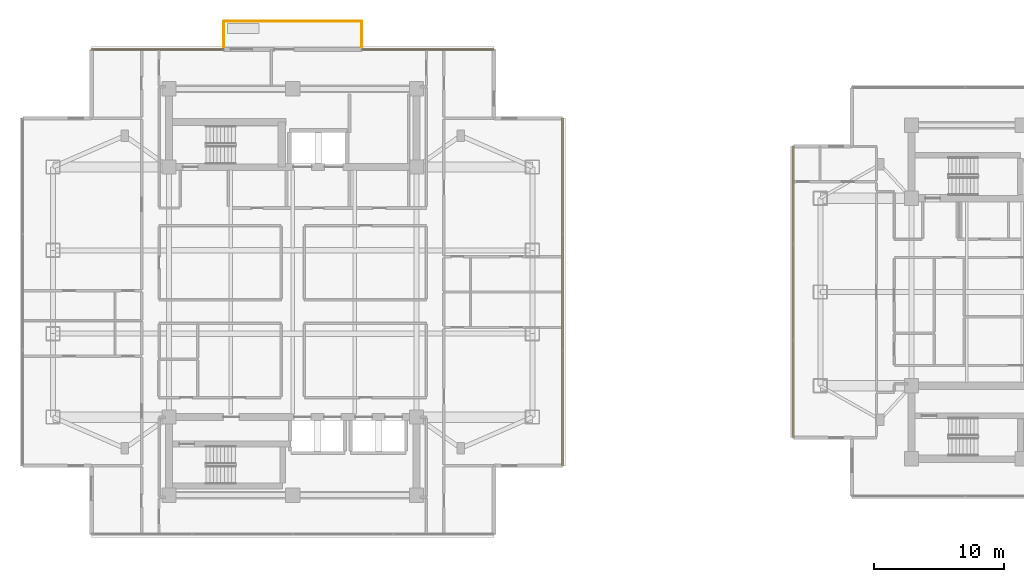
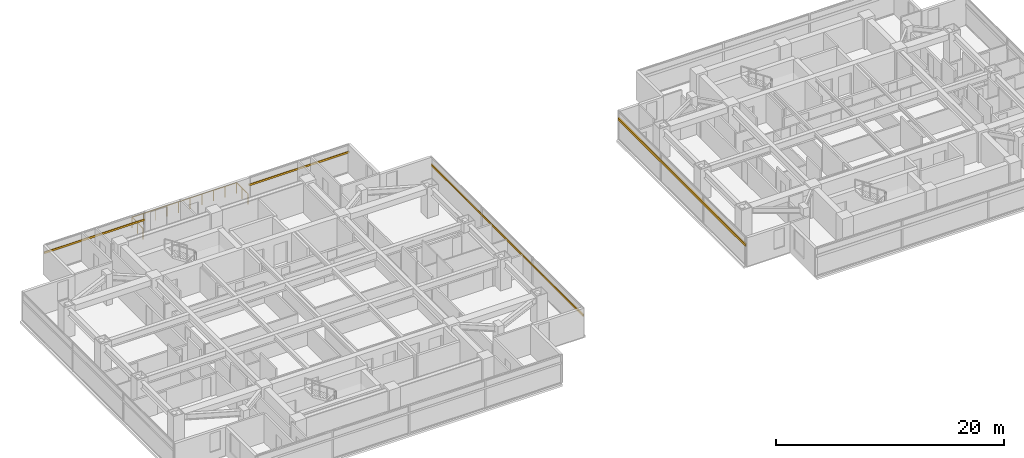
# One storey, part 23 of 26: 4 shading devices, 3 railings.
"""IFC4 building model written with IfcOpenShell, lengths in metres."""

from ifc_helpers import new_model, si_unit, direction, frame, origin, origin_2d, place, context, subcontext, project, spatial, rectangle, circle, extrude, material, material_profile, profile_set, type_object, element, save


model = new_model("IFC4")

# Units and contexts
model_context = context("Model", 3, precision=1e-05, world=origin(), true_north=direction((0.0, 1.0)))
body_context = subcontext(model_context, "Body", "Model", "MODEL_VIEW")
ifc_project = project(units=[si_unit("LENGTHUNIT", "METRE"), si_unit("AREAUNIT", "SQUARE_METRE"), si_unit("VOLUMEUNIT", "CUBIC_METRE"), si_unit("PLANEANGLEUNIT", "RADIAN"), si_unit("MASSUNIT", "GRAM", prefix="KILO")], contexts=[model_context])

# Site, building, storey
site_placement = place(None, origin())
site = spatial("IfcSite", under=ifc_project, at=site_placement, CompositionType="ELEMENT")
building_placement = place(site_placement, origin())
building = spatial("IfcBuilding", under=site, at=building_placement, Name="Mirazonda Arch Towers", CompositionType="ELEMENT")
storey_placement = place(building_placement, frame((0.0, 0.0, 128.0)))
storey = spatial("IfcBuildingStorey", under=building, at=storey_placement, Name="L36", CompositionType="ELEMENT", Elevation=128.0)

# Shading devices
ifc_material_1 = material(Name="Kiln-Fired Architectural Terracotta", Category="masonry")
ifc_material_profile_1 = material_profile(ifc_material_1, rectangle(XDim=0.10009765625, YDim=0.199951171875, at=origin_2d()), Name="TERRA-BAG-100x200")
ifc_profile_set_1 = profile_set([ifc_material_profile_1], Name="Kiln-Fired Architectural Terracotta")
shading_device_type_1 = type_object("IfcShadingDeviceType", Name="BAGUETTE-2", PredefinedType="USERDEFINED", material=ifc_profile_set_1)
shading_device_1_placement = place(storey_placement, frame((41.219970703125, 14.656005859375, 2.203125), z_axis=(0.0, 1.0, 0.0), x_axis=(-1.0, 0.0, 0.0)))
element("IfcShadingDevice", 1, at=shading_device_1_placement, inside=storey, type_object=shading_device_type_1, Name="L36 Glazed Terracotta Sun-Screen Baguette CW-L36-T1-E", ObjectType="BAGUETTE", PredefinedType="USERDEFINED", context=body_context, shape_type="SweptSolid", body=[
    extrude(rectangle(XDim=0.10009765625, YDim=0.199951171875, at=origin_2d()), origin(), (0.0, 0.0, 1.0), 26.68798828125),
])
for number, where, z_axis, x_axis, name in (
    (2, (5.050048828125, 46.614013671875, 2.203125), (1.0, 0.0, 0.0), (0.0, 1.0, 0.0), "L36 Glazed Terracotta Sun-Screen Baguette CW-L36-T1-NA"),
    (3, (25.7900390625, 46.614013671875, 2.203125), (1.0, 0.0, 0.0), (0.0, 1.0, 0.0), "L36 Glazed Terracotta Sun-Screen Baguette CW-L36-T1-NB"),
):
    element("IfcShadingDevice", number, at=place(storey_placement, frame(where, z_axis=z_axis, x_axis=x_axis)), inside=storey, type_object=shading_device_type_1, Name=name, ObjectType="BAGUETTE", PredefinedType="USERDEFINED", context=body_context, shape_type="SweptSolid", body=[
        extrude(rectangle(XDim=0.10009765625, YDim=0.199951171875, at=origin_2d()), origin(), (0.0, 0.0, 1.0), 10.159912109375),
    ])
ifc_material_profile_2 = material_profile(ifc_material_1, rectangle(XDim=0.139892578125, YDim=0.280029296875, at=origin_2d()), Name="TERRA-BAG-140x280")
ifc_profile_set_2 = profile_set([ifc_material_profile_2], Name="Kiln-Fired Architectural Terracotta")
shading_device_type_2 = type_object("IfcShadingDeviceType", Name="BAGUETTE-3", PredefinedType="USERDEFINED", material=ifc_profile_set_2)
shading_device_2_placement = place(storey_placement, frame((58.94091796875, 39.182373046875, 2.203125), z_axis=(0.0, -1.0, 0.0), x_axis=(1.0, 0.0, 0.0)))
element("IfcShadingDevice", 4, at=shading_device_2_placement, inside=storey, type_object=shading_device_type_2, Name="L36 Glazed Terracotta Sun-Screen Baguette CW-L36-T2-W", ObjectType="BAGUETTE", PredefinedType="USERDEFINED", context=body_context, shape_type="SweptSolid", body=[
    extrude(rectangle(XDim=0.139892578125, YDim=0.280029296875, at=origin_2d()), origin(), (0.0, 0.0, 1.0), 22.36474609375),
])

# Railings
ifc_material_2 = material(Name="Architectural Brushed Steel S355", Category="steel")
railing_type = type_object("IfcRailingType", Name="GUARD-EXT-1150", PredefinedType="GUARDRAIL", material=ifc_material_2)
railing_1_placement = place(storey_placement, frame((15.199951171875, 46.823974609375, 0.0)))
element("IfcRailing", 5, at=railing_1_placement, inside=storey, type_object=railing_type, Name="L36 T1 Sky-Terrace Guard 01", PredefinedType="GUARDRAIL", context=body_context, shape_type="SweptSolid", body=[
    extrude(circle(Radius=0.02392578125, at=origin_2d()), frame((0.0, 0.0, 1.1259765625), z_axis=(0.0, 1.0, 0.0), x_axis=(-1.0, 0.0, 0.0)), (0.0, 0.0, 1.0), 1.9599609375),
    extrude(circle(Radius=0.02099609375, at=origin_2d()), origin(), (0.0, 0.0, 1.0), 1.101806640625),
    extrude(circle(Radius=0.02099609375, at=origin_2d()), frame((0.0, 0.97998046875, 0.0)), (0.0, 0.0, 1.0), 1.101806640625),
    extrude(circle(Radius=0.02099609375, at=origin_2d()), frame((0.0, 1.9599609375, 0.0)), (0.0, 0.0, 1.0), 1.101806640625),
])
railing_2_placement = place(storey_placement, frame((15.199951171875, 48.783935546875, 0.0)))
element("IfcRailing", 6, at=railing_2_placement, inside=storey, type_object=railing_type, Name="L36 T1 Sky-Terrace Guard 02", PredefinedType="GUARDRAIL", context=body_context, shape_type="SweptSolid", body=[
    extrude(circle(Radius=0.02392578125, at=origin_2d()), frame((0.0, 0.0, 1.1259765625), z_axis=(1.0, 0.0, 0.0), x_axis=(0.0, 1.0, 0.0)), (0.0, 0.0, 1.0), 10.60009765625),
    extrude(circle(Radius=0.02099609375, at=origin_2d()), origin(), (0.0, 0.0, 1.0), 1.101806640625),
    extrude(circle(Radius=0.02099609375, at=origin_2d()), frame((1.177734375, 0.0, 0.0)), (0.0, 0.0, 1.0), 1.101806640625),
    extrude(circle(Radius=0.02099609375, at=origin_2d()), frame((2.35546875, 0.0, 0.0)), (0.0, 0.0, 1.0), 1.101806640625),
    extrude(circle(Radius=0.02099609375, at=origin_2d()), frame((3.533447265625, 0.0, 0.0)), (0.0, 0.0, 1.0), 1.101806640625),
    extrude(circle(Radius=0.02099609375, at=origin_2d()), frame((4.711181640625, 0.0, 0.0)), (0.0, 0.0, 1.0), 1.101806640625),
    extrude(circle(Radius=0.02099609375, at=origin_2d()), frame((5.888916015625, 0.0, 0.0)), (0.0, 0.0, 1.0), 1.101806640625),
    extrude(circle(Radius=0.02099609375, at=origin_2d()), frame((7.066650390625, 0.0, 0.0)), (0.0, 0.0, 1.0), 1.101806640625),
    extrude(circle(Radius=0.02099609375, at=origin_2d()), frame((8.24462890625, 0.0, 0.0)), (0.0, 0.0, 1.0), 1.101806640625),
    extrude(circle(Radius=0.02099609375, at=origin_2d()), frame((9.42236328125, 0.0, 0.0)), (0.0, 0.0, 1.0), 1.101806640625),
    extrude(circle(Radius=0.02099609375, at=origin_2d()), frame((10.60009765625, 0.0, 0.0)), (0.0, 0.0, 1.0), 1.101806640625),
])
railing_3_placement = place(storey_placement, frame((25.800048828125, 48.783935546875, 0.0)))
element("IfcRailing", 7, at=railing_3_placement, inside=storey, type_object=railing_type, Name="L36 T1 Sky-Terrace Guard 03", PredefinedType="GUARDRAIL", context=body_context, shape_type="SweptSolid", body=[
    extrude(circle(Radius=0.02392578125, at=origin_2d()), frame((0.0, 0.0, 1.1259765625), z_axis=(0.0, -1.0, 0.0), x_axis=(1.0, 0.0, 0.0)), (0.0, 0.0, 1.0), 1.9599609375),
    extrude(circle(Radius=0.02099609375, at=origin_2d()), origin(), (0.0, 0.0, 1.0), 1.101806640625),
    extrude(circle(Radius=0.02099609375, at=origin_2d()), frame((0.0, -0.97998046875, 0.0)), (0.0, 0.0, 1.0), 1.101806640625),
    extrude(circle(Radius=0.02099609375, at=origin_2d()), frame((0.0, -1.9599609375, 0.0)), (0.0, 0.0, 1.0), 1.101806640625),
])

save(model, "model.ifc")
